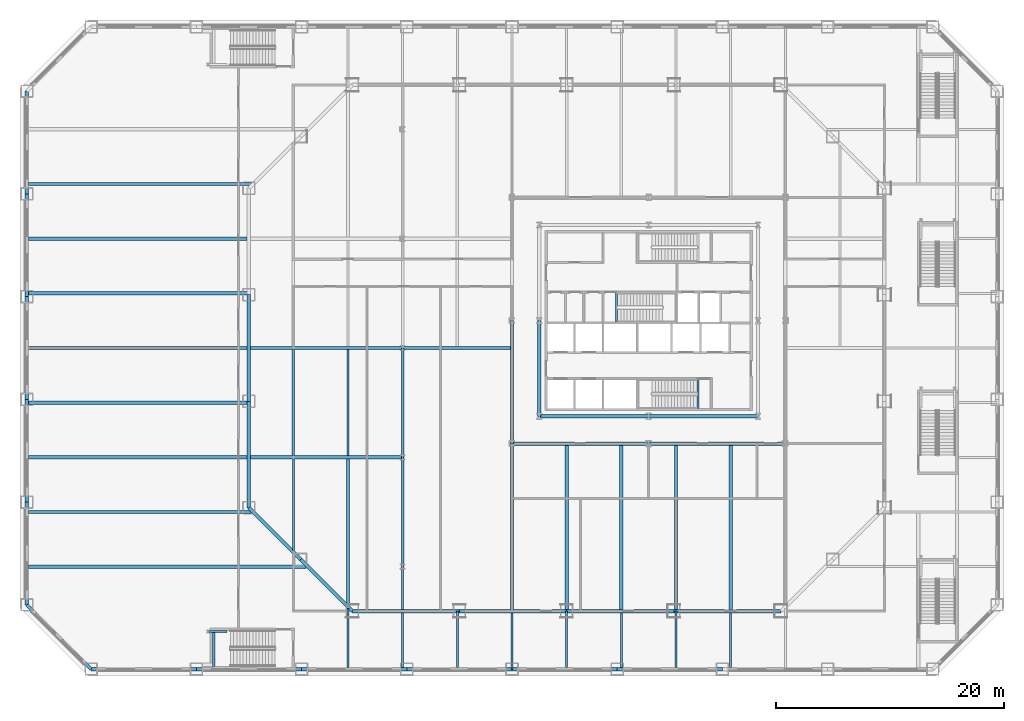
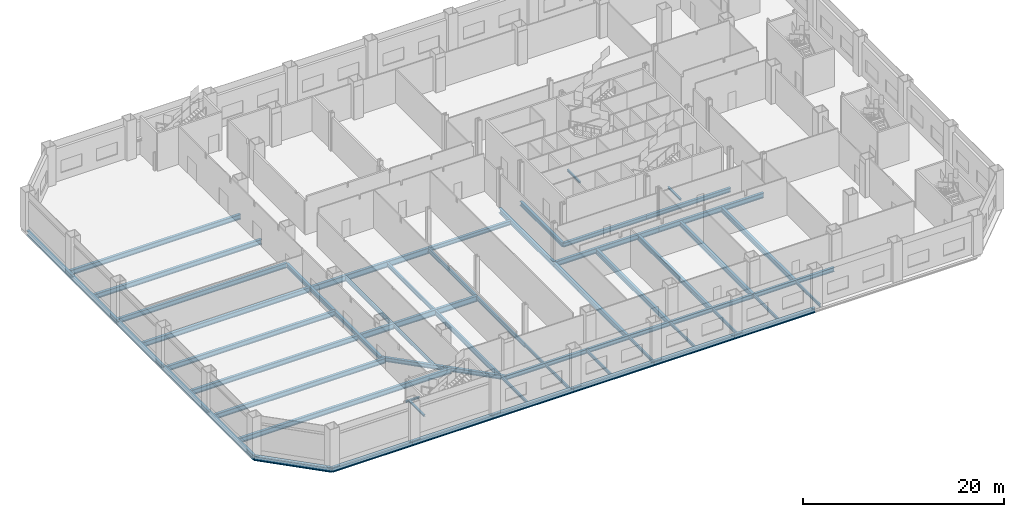
# One storey, part 8 of 25: 61 beams.
"""IFC4 building model written with IfcOpenShell, lengths in metres."""

from ifc_helpers import new_model, si_unit, direction, frame, origin, origin_2d, place, context, subcontext, project, spatial, i_section, extrude, material, material_profile, profile_set, type_object, element, save


model = new_model("IFC4")

# Units and contexts
model_context = context("Model", 3, precision=1e-05, world=origin(), true_north=direction((0.0, 1.0)))
body_context = subcontext(model_context, "Body", "Model", "MODEL_VIEW")
ifc_project = project(units=[si_unit("LENGTHUNIT", "METRE"), si_unit("AREAUNIT", "SQUARE_METRE"), si_unit("VOLUMEUNIT", "CUBIC_METRE"), si_unit("PLANEANGLEUNIT", "RADIAN"), si_unit("MASSUNIT", "GRAM", prefix="KILO")], contexts=[model_context])

# Site, building, storey
site_placement = place(None, origin())
site = spatial("IfcSite", under=ifc_project, at=site_placement, CompositionType="ELEMENT")
building_placement = place(site_placement, origin())
building = spatial("IfcBuilding", under=site, at=building_placement, Name="Cairn Pilgrim Tower", CompositionType="ELEMENT")
storey_placement = place(building_placement, frame((0.0, 0.0, 30.60009765625)))
storey = spatial("IfcBuildingStorey", under=building, at=storey_placement, Name="L05", CompositionType="ELEMENT", Elevation=30.60009765625)

# Beams
ifc_material = material(Name="Structural steel S355J2", Category="steel")
ifc_material_profile_1 = material_profile(ifc_material, i_section(OverallWidth=0.300048828125, OverallDepth=0.60009765625, WebThickness=0.015380859375, FlangeThickness=0.030029296875, FilletRadius=0.027099609375, at=origin_2d()), Name="HEB 600")
ifc_profile_set_1 = profile_set([ifc_material_profile_1], Name="Structural steel S355J2")
beam_type_1 = type_object("IfcBeamType", Name="PODIUM BEAM HE 600 B", PredefinedType="BEAM", material=ifc_profile_set_1)
for number, where, z_axis, x_axis, name in (
    (1, (-4.800048828125, -22.947998046875, -0.5), (0.0, 1.0, 0.0), (-1.0, 0.0, 0.0), "PODIUM BEAM PB-HE600B"),
    (2, (0.0, -23.10009765625, -0.5), (0.0, 1.0, 0.0), (-1.0, 0.0, 0.0), "PODIUM BEAM PB-HE600B"),
):
    element("IfcBeam", number, at=place(storey_placement, frame(where, z_axis=z_axis, x_axis=x_axis)), inside=storey, type_object=beam_type_1, Name=name, PredefinedType="BEAM", context=body_context, shape_type="SweptSolid", body=[
        extrude(i_section(OverallWidth=0.300048828125, OverallDepth=0.60009765625, WebThickness=0.015380859375, FlangeThickness=0.030029296875, FilletRadius=0.027099609375, at=origin_2d()), origin(), (0.0, 0.0, 1.0), 14.548095703125),
    ])
beam_1_placement = place(storey_placement, frame((4.800048828125, -22.947998046875, -0.5), z_axis=(0.0, 1.0, 0.0), x_axis=(-1.0, 0.0, 0.0)))
element("IfcBeam", 3, at=beam_1_placement, inside=storey, type_object=beam_type_1, Name="PODIUM BEAM PB-HE600B", PredefinedType="BEAM", context=body_context, shape_type="SweptSolid", body=[
    extrude(i_section(OverallWidth=0.300048828125, OverallDepth=0.60009765625, WebThickness=0.015380859375, FlangeThickness=0.030029296875, FilletRadius=0.027099609375, at=origin_2d()), origin(), (0.0, 0.0, 1.0), 14.39599609375),
])
beam_2_placement = place(storey_placement, frame((9.60009765625, -23.10009765625, -0.5), z_axis=(0.0, 1.0, 0.0), x_axis=(-1.0, 0.0, 0.0)))
element("IfcBeam", 4, at=beam_2_placement, inside=storey, type_object=beam_type_1, Name="PODIUM BEAM PB-HE600B", PredefinedType="BEAM", context=body_context, shape_type="SweptSolid", body=[
    extrude(i_section(OverallWidth=0.300048828125, OverallDepth=0.60009765625, WebThickness=0.015380859375, FlangeThickness=0.030029296875, FilletRadius=0.027099609375, at=origin_2d()), origin(), (0.0, 0.0, 1.0), 14.548095703125),
])
beam_3_placement = place(storey_placement, frame((14.39990234375, -22.947998046875, -0.5), z_axis=(0.0, 1.0, 0.0), x_axis=(-1.0, 0.0, 0.0)))
element("IfcBeam", 5, at=beam_3_placement, inside=storey, type_object=beam_type_1, Name="PODIUM BEAM PB-HE600B", PredefinedType="BEAM", context=body_context, shape_type="SweptSolid", body=[
    extrude(i_section(OverallWidth=0.300048828125, OverallDepth=0.60009765625, WebThickness=0.015380859375, FlangeThickness=0.030029296875, FilletRadius=0.027099609375, at=origin_2d()), origin(), (0.0, 0.0, 1.0), 14.39599609375),
])
beam_4_placement = place(storey_placement, frame((-47.248046875, -19.199951171875, -0.5), z_axis=(1.0, 0.0, 0.0), x_axis=(0.0, 1.0, 0.0)))
element("IfcBeam", 6, at=beam_4_placement, inside=storey, type_object=beam_type_1, Name="PODIUM BEAM PB-HE600B", PredefinedType="BEAM", context=body_context, shape_type="SweptSolid", body=[
    extrude(i_section(OverallWidth=0.300048828125, OverallDepth=0.60009765625, WebThickness=0.015380859375, FlangeThickness=0.030029296875, FilletRadius=0.027099609375, at=origin_2d()), origin(), (0.0, 0.0, 1.0), 24.368896484375),
])
beam_5_placement = place(storey_placement, frame((-47.248046875, -14.39990234375, -0.5), z_axis=(1.0, 0.0, 0.0), x_axis=(0.0, 1.0, 0.0)))
element("IfcBeam", 7, at=beam_5_placement, inside=storey, type_object=beam_type_1, Name="PODIUM BEAM PB-HE600B", PredefinedType="BEAM", context=body_context, shape_type="SweptSolid", body=[
    extrude(i_section(OverallWidth=0.300048828125, OverallDepth=0.60009765625, WebThickness=0.015380859375, FlangeThickness=0.030029296875, FilletRadius=0.027099609375, at=origin_2d()), origin(), (0.0, 0.0, 1.0), 19.56884765625),
])
beam_6_placement = place(storey_placement, frame((-47.248046875, -9.60009765625, -0.5), z_axis=(1.0, 0.0, 0.0), x_axis=(0.0, 1.0, 0.0)))
element("IfcBeam", 8, at=beam_6_placement, inside=storey, type_object=beam_type_1, Name="PODIUM BEAM PB-HE600B", PredefinedType="BEAM", context=body_context, shape_type="SweptSolid", body=[
    extrude(i_section(OverallWidth=0.300048828125, OverallDepth=0.60009765625, WebThickness=0.015380859375, FlangeThickness=0.030029296875, FilletRadius=0.027099609375, at=origin_2d()), origin(), (0.0, 0.0, 1.0), 19.196044921875),
])
beam_7_placement = place(storey_placement, frame((-47.39990234375, -4.800048828125, -0.5), z_axis=(1.0, 0.0, 0.0), x_axis=(0.0, 1.0, 0.0)))
element("IfcBeam", 9, at=beam_7_placement, inside=storey, type_object=beam_type_1, Name="PODIUM BEAM PB-HE600B", PredefinedType="BEAM", context=body_context, shape_type="SweptSolid", body=[
    extrude(i_section(OverallWidth=0.300048828125, OverallDepth=0.60009765625, WebThickness=0.015380859375, FlangeThickness=0.030029296875, FilletRadius=0.027099609375, at=origin_2d()), origin(), (0.0, 0.0, 1.0), 19.5),
])
beam_8_placement = place(storey_placement, frame((-47.248046875, 0.0, -0.5), z_axis=(1.0, 0.0, 0.0), x_axis=(0.0, 1.0, 0.0)))
element("IfcBeam", 10, at=beam_8_placement, inside=storey, type_object=beam_type_1, Name="PODIUM BEAM PB-HE600B", PredefinedType="BEAM", context=body_context, shape_type="SweptSolid", body=[
    extrude(i_section(OverallWidth=0.300048828125, OverallDepth=0.60009765625, WebThickness=0.015380859375, FlangeThickness=0.030029296875, FilletRadius=0.027099609375, at=origin_2d()), origin(), (0.0, 0.0, 1.0), 19.196044921875),
])
beam_9_placement = place(storey_placement, frame((-47.39990234375, 4.800048828125, -0.5), z_axis=(1.0, 0.0, 0.0), x_axis=(0.0, 1.0, 0.0)))
element("IfcBeam", 11, at=beam_9_placement, inside=storey, type_object=beam_type_1, Name="PODIUM BEAM PB-HE600B", PredefinedType="BEAM", context=body_context, shape_type="SweptSolid", body=[
    extrude(i_section(OverallWidth=0.300048828125, OverallDepth=0.60009765625, WebThickness=0.015380859375, FlangeThickness=0.030029296875, FilletRadius=0.027099609375, at=origin_2d()), origin(), (0.0, 0.0, 1.0), 19.5),
])
beam_10_placement = place(storey_placement, frame((-47.248046875, 9.60009765625, -0.5), z_axis=(1.0, 0.0, 0.0), x_axis=(0.0, 1.0, 0.0)))
element("IfcBeam", 12, at=beam_10_placement, inside=storey, type_object=beam_type_1, Name="PODIUM BEAM PB-HE600B", PredefinedType="BEAM", context=body_context, shape_type="SweptSolid", body=[
    extrude(i_section(OverallWidth=0.300048828125, OverallDepth=0.60009765625, WebThickness=0.015380859375, FlangeThickness=0.030029296875, FilletRadius=0.027099609375, at=origin_2d()), origin(), (0.0, 0.0, 1.0), 19.196044921875),
])
beam_11_placement = place(storey_placement, frame((-47.248046875, 14.39990234375, -0.5), z_axis=(1.0, 0.0, 0.0), x_axis=(0.0, 1.0, 0.0)))
element("IfcBeam", 13, at=beam_11_placement, inside=storey, type_object=beam_type_1, Name="PODIUM BEAM PB-HE600B", PredefinedType="BEAM", context=body_context, shape_type="SweptSolid", body=[
    extrude(i_section(OverallWidth=0.300048828125, OverallDepth=0.60009765625, WebThickness=0.015380859375, FlangeThickness=0.030029296875, FilletRadius=0.027099609375, at=origin_2d()), origin(), (0.0, 0.0, 1.0), 19.56884765625),
])
ifc_material_profile_2 = material_profile(ifc_material, i_section(OverallWidth=0.169921875, OverallDepth=0.360107421875, WebThickness=0.008056640625, FlangeThickness=0.0126953125, FilletRadius=0.01806640625, at=origin_2d()), Name="IPE 360")
ifc_profile_set_2 = profile_set([ifc_material_profile_2], Name="Structural steel S355J2")
beam_type_2 = type_object("IfcBeamType", Name="PODIUM BEAM IPE 360", PredefinedType="BEAM", material=ifc_profile_set_2)
beam_12_placement = place(storey_placement, frame((-14.39990234375, -22.947998046875, -0.380126953125), z_axis=(0.0, 1.0, 0.0), x_axis=(-1.0, 0.0, 0.0)))
element("IfcBeam", 14, at=beam_12_placement, inside=storey, type_object=beam_type_2, Name="PODIUM BEAM PB-IPE360", PredefinedType="BEAM", context=body_context, shape_type="SweptSolid", body=[
    extrude(i_section(OverallWidth=0.169921875, OverallDepth=0.360107421875, WebThickness=0.008056640625, FlangeThickness=0.0126953125, FilletRadius=0.01806640625, at=origin_2d()), origin(), (0.0, 0.0, 1.0), 3.748046875),
])
beam_13_placement = place(storey_placement, frame((-19.199951171875, -28.048095703125, -0.380126953125), z_axis=(0.0, 1.0, 0.0), x_axis=(-1.0, 0.0, 0.0)))
element("IfcBeam", 15, at=beam_13_placement, inside=storey, type_object=beam_type_2, Name="PODIUM BEAM PB-IPE360", PredefinedType="BEAM", context=body_context, shape_type="SweptSolid", body=[
    extrude(i_section(OverallWidth=0.169921875, OverallDepth=0.360107421875, WebThickness=0.008056640625, FlangeThickness=0.0126953125, FilletRadius=0.01806640625, at=origin_2d()), origin(), (0.0, 0.0, 1.0), 5.1689453125),
])
beam_14_placement = place(storey_placement, frame((-14.39990234375, -28.048095703125, -0.380126953125), z_axis=(0.0, 1.0, 0.0), x_axis=(-1.0, 0.0, 0.0)))
element("IfcBeam", 16, at=beam_14_placement, inside=storey, type_object=beam_type_2, Name="PODIUM BEAM PB-IPE360", PredefinedType="BEAM", context=body_context, shape_type="SweptSolid", body=[
    extrude(i_section(OverallWidth=0.169921875, OverallDepth=0.360107421875, WebThickness=0.008056640625, FlangeThickness=0.0126953125, FilletRadius=0.01806640625, at=origin_2d()), origin(), (0.0, 0.0, 1.0), 4.796142578125),
])
for number, where, z_axis, x_axis, name in (
    (17, (-9.60009765625, -28.048095703125, -0.380126953125), (0.0, 1.0, 0.0), (-1.0, 0.0, 0.0), "PODIUM BEAM PB-IPE360"),
    (18, (-4.800048828125, -28.199951171875, -0.380126953125), (0.0, 1.0, 0.0), (-1.0, 0.0, 0.0), "PODIUM BEAM PB-IPE360"),
    (19, (0.0, -28.048095703125, -0.380126953125), (0.0, 1.0, 0.0), (-1.0, 0.0, 0.0), "PODIUM BEAM PB-IPE360"),
):
    element("IfcBeam", number, at=place(storey_placement, frame(where, z_axis=z_axis, x_axis=x_axis)), inside=storey, type_object=beam_type_2, Name=name, PredefinedType="BEAM", context=body_context, shape_type="SweptSolid", body=[
        extrude(i_section(OverallWidth=0.169921875, OverallDepth=0.360107421875, WebThickness=0.008056640625, FlangeThickness=0.0126953125, FilletRadius=0.01806640625, at=origin_2d()), origin(), (0.0, 0.0, 1.0), 4.947998046875),
    ])
beam_15_placement = place(storey_placement, frame((4.800048828125, -28.048095703125, -0.380126953125), z_axis=(0.0, 1.0, 0.0), x_axis=(-1.0, 0.0, 0.0)))
element("IfcBeam", 20, at=beam_15_placement, inside=storey, type_object=beam_type_2, Name="PODIUM BEAM PB-IPE360", PredefinedType="BEAM", context=body_context, shape_type="SweptSolid", body=[
    extrude(i_section(OverallWidth=0.169921875, OverallDepth=0.360107421875, WebThickness=0.008056640625, FlangeThickness=0.0126953125, FilletRadius=0.01806640625, at=origin_2d()), origin(), (0.0, 0.0, 1.0), 4.796142578125),
])
beam_16_placement = place(storey_placement, frame((9.60009765625, -28.048095703125, -0.380126953125), z_axis=(0.0, 1.0, 0.0), x_axis=(-1.0, 0.0, 0.0)))
element("IfcBeam", 21, at=beam_16_placement, inside=storey, type_object=beam_type_2, Name="PODIUM BEAM PB-IPE360", PredefinedType="BEAM", context=body_context, shape_type="SweptSolid", body=[
    extrude(i_section(OverallWidth=0.169921875, OverallDepth=0.360107421875, WebThickness=0.008056640625, FlangeThickness=0.0126953125, FilletRadius=0.01806640625, at=origin_2d()), origin(), (0.0, 0.0, 1.0), 4.947998046875),
])
beam_17_placement = place(storey_placement, frame((14.39990234375, -28.048095703125, -0.380126953125), z_axis=(0.0, 1.0, 0.0), x_axis=(-1.0, 0.0, 0.0)))
element("IfcBeam", 22, at=beam_17_placement, inside=storey, type_object=beam_type_2, Name="PODIUM BEAM PB-IPE360", PredefinedType="BEAM", context=body_context, shape_type="SweptSolid", body=[
    extrude(i_section(OverallWidth=0.169921875, OverallDepth=0.360107421875, WebThickness=0.008056640625, FlangeThickness=0.0126953125, FilletRadius=0.01806640625, at=origin_2d()), origin(), (0.0, 0.0, 1.0), 4.796142578125),
])
ifc_material_profile_3 = material_profile(ifc_material, i_section(OverallWidth=0.179931640625, OverallDepth=0.39990234375, WebThickness=0.008544921875, FlangeThickness=0.013427734375, FilletRadius=0.02099609375, at=origin_2d()), Name="IPE 400")
ifc_profile_set_3 = profile_set([ifc_material_profile_3], Name="Structural steel S355J2")
beam_type_3 = type_object("IfcBeamType", Name="PODIUM BEAM IPE 400", PredefinedType="BEAM", material=ifc_profile_set_3)
beam_18_placement = place(storey_placement, frame((-24.0, -17.775146484375, -0.400146484375), z_axis=(0.0, 1.0, 0.0), x_axis=(-1.0, 0.0, 0.0)))
element("IfcBeam", 23, at=beam_18_placement, inside=storey, type_object=beam_type_3, Name="PODIUM BEAM PB-IPE400", PredefinedType="BEAM", context=body_context, shape_type="SweptSolid", body=[
    extrude(i_section(OverallWidth=0.179931640625, OverallDepth=0.39990234375, WebThickness=0.008544921875, FlangeThickness=0.013427734375, FilletRadius=0.02099609375, at=origin_2d()), origin(), (0.0, 0.0, 1.0), 8.023193359375),
])
ifc_material_profile_4 = material_profile(ifc_material, i_section(OverallWidth=0.199951171875, OverallDepth=0.5, WebThickness=0.01025390625, FlangeThickness=0.01611328125, FilletRadius=0.02099609375, at=origin_2d()), Name="IPE 500")
ifc_profile_set_4 = profile_set([ifc_material_profile_4], Name="Structural steel S355J2")
beam_type_4 = type_object("IfcBeamType", Name="PODIUM BEAM IPE 500", PredefinedType="BEAM", material=ifc_profile_set_4)
for number, where, z_axis, x_axis, name in (
    (24, (-24.0, -9.447998046875, -0.4501953125), (0.0, 1.0, 0.0), (-1.0, 0.0, 0.0), "PODIUM BEAM PB-IPE500"),
    (25, (-19.199951171875, -9.447998046875, -0.4501953125), (0.0, 1.0, 0.0), (-1.0, 0.0, 0.0), "PODIUM BEAM PB-IPE500"),
):
    element("IfcBeam", number, at=place(storey_placement, frame(where, z_axis=z_axis, x_axis=x_axis)), inside=storey, type_object=beam_type_4, Name=name, PredefinedType="BEAM", context=body_context, shape_type="SweptSolid", body=[
        extrude(i_section(OverallWidth=0.199951171875, OverallDepth=0.5, WebThickness=0.01025390625, FlangeThickness=0.01611328125, FilletRadius=0.02099609375, at=origin_2d()), origin(), (0.0, 0.0, 1.0), 9.2958984375),
    ])
beam_19_placement = place(storey_placement, frame((-14.39990234375, -19.199951171875, -0.4501953125), z_axis=(0.0, 1.0, 0.0), x_axis=(-1.0, 0.0, 0.0)))
element("IfcBeam", 26, at=beam_19_placement, inside=storey, type_object=beam_type_4, Name="PODIUM BEAM PB-IPE500", PredefinedType="BEAM", context=body_context, shape_type="SweptSolid", body=[
    extrude(i_section(OverallWidth=0.199951171875, OverallDepth=0.5, WebThickness=0.01025390625, FlangeThickness=0.01611328125, FilletRadius=0.02099609375, at=origin_2d()), origin(), (0.0, 0.0, 1.0), 9.599853515625),
])
beam_20_placement = place(storey_placement, frame((-14.39990234375, -9.60009765625, -0.4501953125), z_axis=(0.0, 1.0, 0.0), x_axis=(-1.0, 0.0, 0.0)))
element("IfcBeam", 27, at=beam_20_placement, inside=storey, type_object=beam_type_4, Name="PODIUM BEAM PB-IPE500", PredefinedType="BEAM", context=body_context, shape_type="SweptSolid", body=[
    extrude(i_section(OverallWidth=0.199951171875, OverallDepth=0.5, WebThickness=0.01025390625, FlangeThickness=0.01611328125, FilletRadius=0.02099609375, at=origin_2d()), origin(), (0.0, 0.0, 1.0), 9.60009765625),
])
ifc_material_profile_5 = material_profile(ifc_material, i_section(OverallWidth=0.219970703125, OverallDepth=0.60009765625, WebThickness=0.011962890625, FlangeThickness=0.01904296875, FilletRadius=0.02392578125, at=origin_2d()), Name="IPE 600")
ifc_profile_set_5 = profile_set([ifc_material_profile_5], Name="Structural steel S355J2")
beam_type_5 = type_object("IfcBeamType", Name="PODIUM BEAM IPE 600", PredefinedType="BEAM", material=ifc_profile_set_5)
beam_21_placement = place(storey_placement, frame((-19.199951171875, -22.5751953125, -0.5), z_axis=(0.0, 1.0, 0.0), x_axis=(-1.0, 0.0, 0.0)))
element("IfcBeam", 28, at=beam_21_placement, inside=storey, type_object=beam_type_5, Name="PODIUM BEAM PB-IPE600", PredefinedType="BEAM", context=body_context, shape_type="SweptSolid", body=[
    extrude(i_section(OverallWidth=0.219970703125, OverallDepth=0.60009765625, WebThickness=0.011962890625, FlangeThickness=0.01904296875, FilletRadius=0.02392578125, at=origin_2d()), origin(), (0.0, 0.0, 1.0), 12.8232421875),
])
ifc_material_profile_6 = material_profile(ifc_material, i_section(OverallWidth=0.300048828125, OverallDepth=0.60009765625, WebThickness=0.015380859375, FlangeThickness=0.030029296875, FilletRadius=0.027099609375, at=origin_2d()), Name="HEB 600")
ifc_profile_set_6 = profile_set([ifc_material_profile_6], Name="Structural steel S355J2")
beam_type_6 = type_object("IfcBeamType", Name="PODIUM EDGE GIRDER HE 600 B", PredefinedType="BEAM", material=ifc_profile_set_6)
beam_22_placement = place(storey_placement, frame((-41.75146484375, -28.199951171875, -0.5), z_axis=(1.0, 0.0, 0.0), x_axis=(0.0, 1.0, 0.0)))
element("IfcBeam", 29, at=beam_22_placement, inside=storey, type_object=beam_type_6, Name="PODIUM EDGE GIRDER PE-HE600B", PredefinedType="BEAM", context=body_context, shape_type="SweptSolid", body=[
    extrude(i_section(OverallWidth=0.300048828125, OverallDepth=0.60009765625, WebThickness=0.015380859375, FlangeThickness=0.030029296875, FilletRadius=0.027099609375, at=origin_2d()), origin(), (0.0, 0.0, 1.0), 9.23779296875),
])
beam_23_placement = place(storey_placement, frame((-32.513671875, -28.199951171875, -0.5), z_axis=(1.0, 0.0, 0.0), x_axis=(0.0, 1.0, 0.0)))
element("IfcBeam", 30, at=beam_23_placement, inside=storey, type_object=beam_type_6, Name="PODIUM EDGE GIRDER PE-HE600B", PredefinedType="BEAM", context=body_context, shape_type="SweptSolid", body=[
    extrude(i_section(OverallWidth=0.300048828125, OverallDepth=0.60009765625, WebThickness=0.015380859375, FlangeThickness=0.030029296875, FilletRadius=0.027099609375, at=origin_2d()), origin(), (0.0, 0.0, 1.0), 9.238037109375),
])
for number, where, z_axis, x_axis, name in (
    (31, (-23.275634765625, -28.199951171875, -0.5), (1.0, 0.0, 0.0), (0.0, 1.0, 0.0), "PODIUM EDGE GIRDER PE-HE600B"),
    (32, (-14.037841796875, -28.199951171875, -0.5), (1.0, 0.0, 0.0), (0.0, 1.0, 0.0), "PODIUM EDGE GIRDER PE-HE600B"),
):
    element("IfcBeam", number, at=place(storey_placement, frame(where, z_axis=z_axis, x_axis=x_axis)), inside=storey, type_object=beam_type_6, Name=name, PredefinedType="BEAM", context=body_context, shape_type="SweptSolid", body=[
        extrude(i_section(OverallWidth=0.300048828125, OverallDepth=0.60009765625, WebThickness=0.015380859375, FlangeThickness=0.030029296875, FilletRadius=0.027099609375, at=origin_2d()), origin(), (0.0, 0.0, 1.0), 9.23779296875),
    ])
beam_24_placement = place(storey_placement, frame((-4.800048828125, -28.199951171875, -0.5), z_axis=(1.0, 0.0, 0.0), x_axis=(0.0, 1.0, 0.0)))
element("IfcBeam", 33, at=beam_24_placement, inside=storey, type_object=beam_type_6, Name="PODIUM EDGE GIRDER PE-HE600B", PredefinedType="BEAM", context=body_context, shape_type="SweptSolid", body=[
    extrude(i_section(OverallWidth=0.300048828125, OverallDepth=0.60009765625, WebThickness=0.015380859375, FlangeThickness=0.030029296875, FilletRadius=0.027099609375, at=origin_2d()), origin(), (0.0, 0.0, 1.0), 9.238037109375),
])
beam_25_placement = place(storey_placement, frame((4.43798828125, -28.199951171875, -0.5), z_axis=(1.0, 0.0, 0.0), x_axis=(0.0, 1.0, 0.0)))
element("IfcBeam", 34, at=beam_25_placement, inside=storey, type_object=beam_type_6, Name="PODIUM EDGE GIRDER PE-HE600B", PredefinedType="BEAM", context=body_context, shape_type="SweptSolid", body=[
    extrude(i_section(OverallWidth=0.300048828125, OverallDepth=0.60009765625, WebThickness=0.015380859375, FlangeThickness=0.030029296875, FilletRadius=0.027099609375, at=origin_2d()), origin(), (0.0, 0.0, 1.0), 9.23779296875),
])
beam_26_placement = place(storey_placement, frame((-47.39990234375, 22.551513671875, -0.5), z_axis=(0.0, -1.0, 0.0), x_axis=(1.0, 0.0, 0.0)))
element("IfcBeam", 35, at=beam_26_placement, inside=storey, type_object=beam_type_6, Name="PODIUM EDGE GIRDER PE-HE600B", PredefinedType="BEAM", context=body_context, shape_type="SweptSolid", body=[
    extrude(i_section(OverallWidth=0.300048828125, OverallDepth=0.60009765625, WebThickness=0.015380859375, FlangeThickness=0.030029296875, FilletRadius=0.027099609375, at=origin_2d()), origin(), (0.0, 0.0, 1.0), 9.0205078125),
])
beam_27_placement = place(storey_placement, frame((-47.39990234375, 13.531005859375, -0.5), z_axis=(0.0, -1.0, 0.0), x_axis=(1.0, 0.0, 0.0)))
element("IfcBeam", 36, at=beam_27_placement, inside=storey, type_object=beam_type_6, Name="PODIUM EDGE GIRDER PE-HE600B", PredefinedType="BEAM", context=body_context, shape_type="SweptSolid", body=[
    extrude(i_section(OverallWidth=0.300048828125, OverallDepth=0.60009765625, WebThickness=0.015380859375, FlangeThickness=0.030029296875, FilletRadius=0.027099609375, at=origin_2d()), origin(), (0.0, 0.0, 1.0), 9.020751953125),
])
beam_28_placement = place(storey_placement, frame((-47.39990234375, 4.51025390625, -0.5), z_axis=(0.0, -1.0, 0.0), x_axis=(1.0, 0.0, 0.0)))
element("IfcBeam", 37, at=beam_28_placement, inside=storey, type_object=beam_type_6, Name="PODIUM EDGE GIRDER PE-HE600B", PredefinedType="BEAM", context=body_context, shape_type="SweptSolid", body=[
    extrude(i_section(OverallWidth=0.300048828125, OverallDepth=0.60009765625, WebThickness=0.015380859375, FlangeThickness=0.030029296875, FilletRadius=0.027099609375, at=origin_2d()), origin(), (0.0, 0.0, 1.0), 9.0205078125),
])
beam_29_placement = place(storey_placement, frame((-47.39990234375, -4.51025390625, -0.5), z_axis=(0.0, -1.0, 0.0), x_axis=(1.0, 0.0, 0.0)))
element("IfcBeam", 38, at=beam_29_placement, inside=storey, type_object=beam_type_6, Name="PODIUM EDGE GIRDER PE-HE600B", PredefinedType="BEAM", context=body_context, shape_type="SweptSolid", body=[
    extrude(i_section(OverallWidth=0.300048828125, OverallDepth=0.60009765625, WebThickness=0.015380859375, FlangeThickness=0.030029296875, FilletRadius=0.027099609375, at=origin_2d()), origin(), (0.0, 0.0, 1.0), 9.020751953125),
])
beam_30_placement = place(storey_placement, frame((-47.39990234375, -13.531005859375, -0.5), z_axis=(0.0, -1.0, 0.0), x_axis=(1.0, 0.0, 0.0)))
element("IfcBeam", 39, at=beam_30_placement, inside=storey, type_object=beam_type_6, Name="PODIUM EDGE GIRDER PE-HE600B", PredefinedType="BEAM", context=body_context, shape_type="SweptSolid", body=[
    extrude(i_section(OverallWidth=0.300048828125, OverallDepth=0.60009765625, WebThickness=0.015380859375, FlangeThickness=0.030029296875, FilletRadius=0.027099609375, at=origin_2d()), origin(), (0.0, 0.0, 1.0), 9.0205078125),
])
beam_31_placement = place(storey_placement, frame((-47.39990234375, -22.551513671875, -0.5), z_axis=(0.707106781187, -0.707106781187, 0.0), x_axis=(0.707106781187, 0.707106781187, 0.0)))
element("IfcBeam", 40, at=beam_31_placement, inside=storey, type_object=beam_type_6, Name="PODIUM EDGE GIRDER PE-HE600B", PredefinedType="BEAM", context=body_context, shape_type="SweptSolid", body=[
    extrude(i_section(OverallWidth=0.300048828125, OverallDepth=0.60009765625, WebThickness=0.015380859375, FlangeThickness=0.030029296875, FilletRadius=0.027099609375, at=origin_2d()), origin(), (0.0, 0.0, 1.0), 7.988037109375),
])
ifc_material_profile_7 = material_profile(ifc_material, i_section(OverallWidth=0.300048828125, OverallDepth=0.5, WebThickness=0.014404296875, FlangeThickness=0.028076171875, FilletRadius=0.027099609375, at=origin_2d()), Name="HEB 500")
ifc_profile_set_7 = profile_set([ifc_material_profile_7], Name="Structural steel S355J2")
beam_type_7 = type_object("IfcBeamType", Name="PODIUM GIRDER HE 500 B", PredefinedType="BEAM", material=ifc_profile_set_7)
for number, where, z_axis, x_axis, name in (
    (41, (-18.8271484375, -23.10009765625, -0.4501953125), (1.0, 0.0, 0.0), (0.0, 1.0, 0.0), "PODIUM GIRDER PG-HE500B"),
    (42, (-9.41357421875, -23.10009765625, -0.4501953125), (1.0, 0.0, 0.0), (0.0, 1.0, 0.0), "PODIUM GIRDER PG-HE500B"),
    (43, (0.0, -23.10009765625, -0.4501953125), (1.0, 0.0, 0.0), (0.0, 1.0, 0.0), "PODIUM GIRDER PG-HE500B"),
    (44, (9.41357421875, -23.10009765625, -0.4501953125), (1.0, 0.0, 0.0), (0.0, 1.0, 0.0), "PODIUM GIRDER PG-HE500B"),
):
    element("IfcBeam", number, at=place(storey_placement, frame(where, z_axis=z_axis, x_axis=x_axis)), inside=storey, type_object=beam_type_7, Name=name, PredefinedType="BEAM", context=body_context, shape_type="SweptSolid", body=[
        extrude(i_section(OverallWidth=0.300048828125, OverallDepth=0.5, WebThickness=0.014404296875, FlangeThickness=0.028076171875, FilletRadius=0.027099609375, at=origin_2d()), origin(), (0.0, 0.0, 1.0), 9.41357421875),
    ])
beam_32_placement = place(storey_placement, frame((-27.89990234375, 4.67578125, -0.4501953125), z_axis=(0.0, -1.0, 0.0), x_axis=(1.0, 0.0, 0.0)))
element("IfcBeam", 45, at=beam_32_placement, inside=storey, type_object=beam_type_7, Name="PODIUM GIRDER PG-HE500B", PredefinedType="BEAM", context=body_context, shape_type="SweptSolid", body=[
    extrude(i_section(OverallWidth=0.300048828125, OverallDepth=0.5, WebThickness=0.014404296875, FlangeThickness=0.028076171875, FilletRadius=0.027099609375, at=origin_2d()), origin(), (0.0, 0.0, 1.0), 9.3515625),
])
beam_33_placement = place(storey_placement, frame((-27.89990234375, -4.67578125, -0.4501953125), z_axis=(0.0, -1.0, 0.0), x_axis=(1.0, 0.0, 0.0)))
element("IfcBeam", 46, at=beam_33_placement, inside=storey, type_object=beam_type_7, Name="PODIUM GIRDER PG-HE500B", PredefinedType="BEAM", context=body_context, shape_type="SweptSolid", body=[
    extrude(i_section(OverallWidth=0.300048828125, OverallDepth=0.5, WebThickness=0.014404296875, FlangeThickness=0.028076171875, FilletRadius=0.027099609375, at=origin_2d()), origin(), (0.0, 0.0, 1.0), 9.351318359375),
])
for number, where, z_axis, x_axis, name in (
    (47, (-27.89990234375, -14.027099609375, -0.4501953125), (0.707087753759, -0.707125808102, 0.0), (0.707125808102, 0.707087753759, 0.0), "PODIUM GIRDER PG-HE500B"),
    (48, (-23.363525390625, -18.563720703125, -0.4501953125), (0.707106781187, -0.707106781187, 0.0), (0.707106781187, 0.707106781187, 0.0), "PODIUM GIRDER PG-HE500B"),
):
    element("IfcBeam", number, at=place(storey_placement, frame(where, z_axis=z_axis, x_axis=x_axis)), inside=storey, type_object=beam_type_7, Name=name, PredefinedType="BEAM", context=body_context, shape_type="SweptSolid", body=[
        extrude(i_section(OverallWidth=0.300048828125, OverallDepth=0.5, WebThickness=0.014404296875, FlangeThickness=0.028076171875, FilletRadius=0.027099609375, at=origin_2d()), origin(), (0.0, 0.0, 1.0), 6.41552734375),
    ])
beam_34_placement = place(storey_placement, frame((-2.39990234375, 2.39990234375, -0.4501953125), z_axis=(0.0, -1.0, 0.0), x_axis=(1.0, 0.0, 0.0)))
element("IfcBeam", 49, at=beam_34_placement, inside=storey, type_object=beam_type_7, Name="PODIUM GIRDER PG-HE500B", PredefinedType="BEAM", context=body_context, shape_type="SweptSolid", body=[
    extrude(i_section(OverallWidth=0.300048828125, OverallDepth=0.5, WebThickness=0.014404296875, FlangeThickness=0.028076171875, FilletRadius=0.027099609375, at=origin_2d()), origin(), (0.0, 0.0, 1.0), 8.39990234375),
])
beam_35_placement = place(storey_placement, frame((-2.39990234375, -6.0, -0.4501953125), z_axis=(1.0, 0.0, 0.0), x_axis=(0.0, 1.0, 0.0)))
element("IfcBeam", 50, at=beam_35_placement, inside=storey, type_object=beam_type_7, Name="PODIUM GIRDER PG-HE500B", PredefinedType="BEAM", context=body_context, shape_type="SweptSolid", body=[
    extrude(i_section(OverallWidth=0.300048828125, OverallDepth=0.5, WebThickness=0.014404296875, FlangeThickness=0.028076171875, FilletRadius=0.027099609375, at=origin_2d()), origin(), (0.0, 0.0, 1.0), 9.599853515625),
])
beam_36_placement = place(storey_placement, frame((7.199951171875, -6.0, -0.4501953125), z_axis=(1.0, 0.0, 0.0), x_axis=(0.0, 1.0, 0.0)))
element("IfcBeam", 51, at=beam_36_placement, inside=storey, type_object=beam_type_7, Name="PODIUM GIRDER PG-HE500B", PredefinedType="BEAM", context=body_context, shape_type="SweptSolid", body=[
    extrude(i_section(OverallWidth=0.300048828125, OverallDepth=0.5, WebThickness=0.014404296875, FlangeThickness=0.028076171875, FilletRadius=0.027099609375, at=origin_2d()), origin(), (0.0, 0.0, 1.0), 9.60009765625),
])
beam_37_placement = place(storey_placement, frame((-14.39990234375, 0.0, -0.4501953125), z_axis=(1.0, 0.0, 0.0), x_axis=(0.0, 1.0, 0.0)))
element("IfcBeam", 52, at=beam_37_placement, inside=storey, type_object=beam_type_7, Name="PODIUM GIRDER PG-HE500B", PredefinedType="BEAM", context=body_context, shape_type="SweptSolid", body=[
    extrude(i_section(OverallWidth=0.300048828125, OverallDepth=0.5, WebThickness=0.014404296875, FlangeThickness=0.028076171875, FilletRadius=0.027099609375, at=origin_2d()), origin(), (0.0, 0.0, 1.0), 9.447998046875),
])
ifc_material_profile_8 = material_profile(ifc_material, i_section(OverallWidth=0.300048828125, OverallDepth=0.60009765625, WebThickness=0.015380859375, FlangeThickness=0.030029296875, FilletRadius=0.027099609375, at=origin_2d()), Name="HEB 600")
ifc_profile_set_8 = profile_set([ifc_material_profile_8], Name="Structural steel S355J2")
beam_type_8 = type_object("IfcBeamType", Name="PODIUM GIRDER HE 600 B", PredefinedType="BEAM", material=ifc_profile_set_8)
beam_38_placement = place(storey_placement, frame((-4.800048828125, 2.39990234375, -0.5), z_axis=(0.0, -1.0, 0.0), x_axis=(1.0, 0.0, 0.0)))
element("IfcBeam", 53, at=beam_38_placement, inside=storey, type_object=beam_type_8, Name="PODIUM GIRDER PG-HE600B", PredefinedType="BEAM", context=body_context, shape_type="SweptSolid", body=[
    extrude(i_section(OverallWidth=0.300048828125, OverallDepth=0.60009765625, WebThickness=0.015380859375, FlangeThickness=0.030029296875, FilletRadius=0.027099609375, at=origin_2d()), origin(), (0.0, 0.0, 1.0), 10.7998046875),
])
for number, where, z_axis, x_axis, name in (
    (54, (-4.800048828125, -8.39990234375, -0.5), (1.0, 0.0, 0.0), (0.0, 1.0, 0.0), "PODIUM GIRDER PG-HE600B"),
    (55, (7.199951171875, -8.39990234375, -0.5), (1.0, 0.0, 0.0), (0.0, 1.0, 0.0), "PODIUM GIRDER PG-HE600B"),
):
    element("IfcBeam", number, at=place(storey_placement, frame(where, z_axis=z_axis, x_axis=x_axis)), inside=storey, type_object=beam_type_8, Name=name, PredefinedType="BEAM", context=body_context, shape_type="SweptSolid", body=[
        extrude(i_section(OverallWidth=0.300048828125, OverallDepth=0.60009765625, WebThickness=0.015380859375, FlangeThickness=0.030029296875, FilletRadius=0.027099609375, at=origin_2d()), origin(), (0.0, 0.0, 1.0), 12.0),
    ])
ifc_material_profile_9 = material_profile(ifc_material, i_section(OverallWidth=0.300048828125, OverallDepth=0.699951171875, WebThickness=0.01708984375, FlangeThickness=0.031982421875, FilletRadius=0.027099609375, at=origin_2d()), Name="HEB 700")
ifc_profile_set_9 = profile_set([ifc_material_profile_9], Name="Structural steel S355J2")
beam_type_9 = type_object("IfcBeamType", Name="PODIUM GIRDER HE 700 B", PredefinedType="BEAM", material=ifc_profile_set_9)
for number, where, z_axis, x_axis, name in (
    (56, (-27.748046875, -9.60009765625, -0.550048828125), (1.0, 0.0, 0.0), (0.0, 1.0, 0.0), "PODIUM GIRDER PG-HE700B"),
    (57, (-27.748046875, 0.0, -0.550048828125), (1.0, 0.0, 0.0), (0.0, 1.0, 0.0), "PODIUM GIRDER PG-HE700B"),
):
    element("IfcBeam", number, at=place(storey_placement, frame(where, z_axis=z_axis, x_axis=x_axis)), inside=storey, type_object=beam_type_9, Name=name, PredefinedType="BEAM", context=body_context, shape_type="SweptSolid", body=[
        extrude(i_section(OverallWidth=0.300048828125, OverallDepth=0.699951171875, WebThickness=0.01708984375, FlangeThickness=0.031982421875, FilletRadius=0.027099609375, at=origin_2d()), origin(), (0.0, 0.0, 1.0), 13.34814453125),
    ])
ifc_material_profile_10 = material_profile(ifc_material, i_section(OverallWidth=0.199951171875, OverallDepth=0.199951171875, WebThickness=0.009033203125, FlangeThickness=0.014892578125, FilletRadius=0.01806640625, at=origin_2d()), Name="HE 200 B")
ifc_profile_set_10 = profile_set([ifc_material_profile_10], Name="Structural steel S355J2")
beam_type_10 = type_object("IfcBeamType", Name="STAIR LANDING BEAM HE 200 B", PredefinedType="BEAM", material=ifc_profile_set_10)
beam_39_placement = place(storey_placement, frame((-31.39990234375, -24.89990234375, 2.099853515625), z_axis=(1.0, 0.0, 0.0), x_axis=(0.0, 1.0, 0.0)))
element("IfcBeam", 58, at=beam_39_placement, inside=storey, type_object=beam_type_10, Name="STAIR LANDING BEAM LD-HE200B", PredefinedType="BEAM", context=body_context, shape_type="SweptSolid", body=[
    extrude(i_section(OverallWidth=0.199951171875, OverallDepth=0.199951171875, WebThickness=0.009033203125, FlangeThickness=0.014892578125, FilletRadius=0.01806640625, at=origin_2d()), origin(), (0.0, 0.0, 1.0), 1.579833984375),
])
beam_40_placement = place(storey_placement, frame((-30.9951171875, -27.949951171875, 2.099853515625), z_axis=(0.0, 1.0, 0.0), x_axis=(-1.0, 0.0, 0.0)))
element("IfcBeam", 59, at=beam_40_placement, inside=storey, type_object=beam_type_10, Name="STAIR LANDING BEAM LD-HE200B", PredefinedType="BEAM", context=body_context, shape_type="SweptSolid", body=[
    extrude(i_section(OverallWidth=0.199951171875, OverallDepth=0.199951171875, WebThickness=0.009033203125, FlangeThickness=0.014892578125, FilletRadius=0.01806640625, at=origin_2d()), origin(), (0.0, 0.0, 1.0), 2.949951171875),
])
beam_41_placement = place(storey_placement, frame((11.5244140625, -2.77490234375, -0.300048828125), z_axis=(0.0, -1.0, 0.0), x_axis=(1.0, 0.0, 0.0)))
element("IfcBeam", 60, at=beam_41_placement, inside=storey, type_object=beam_type_10, Name="STAIR LANDING BEAM LD-HE200B", PredefinedType="BEAM", context=body_context, shape_type="SweptSolid", body=[
    extrude(i_section(OverallWidth=0.199951171875, OverallDepth=0.199951171875, WebThickness=0.009033203125, FlangeThickness=0.014892578125, FilletRadius=0.01806640625, at=origin_2d()), origin(), (0.0, 0.0, 1.0), 2.525146484375),
])
beam_42_placement = place(storey_placement, frame((4.37548828125, 2.27490234375, -0.300048828125), z_axis=(0.0, 1.0, 0.0), x_axis=(-1.0, 0.0, 0.0)))
element("IfcBeam", 61, at=beam_42_placement, inside=storey, type_object=beam_type_10, Name="STAIR LANDING BEAM LD-HE200B", PredefinedType="BEAM", context=body_context, shape_type="SweptSolid", body=[
    extrude(i_section(OverallWidth=0.199951171875, OverallDepth=0.199951171875, WebThickness=0.009033203125, FlangeThickness=0.014892578125, FilletRadius=0.01806640625, at=origin_2d()), origin(), (0.0, 0.0, 1.0), 2.550048828125),
])

save(model, "model.ifc")
